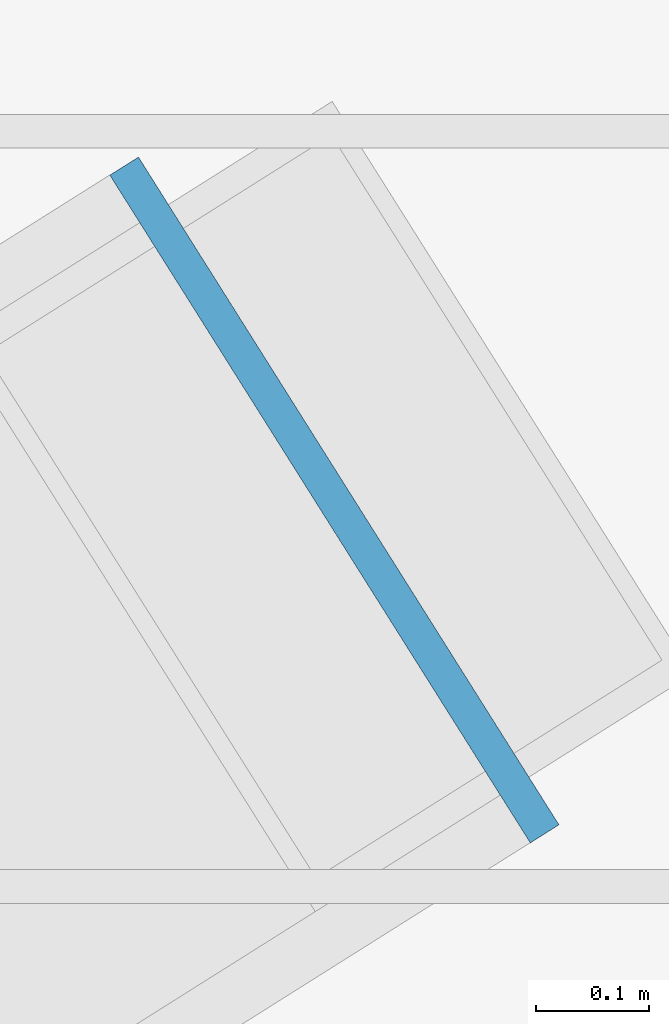
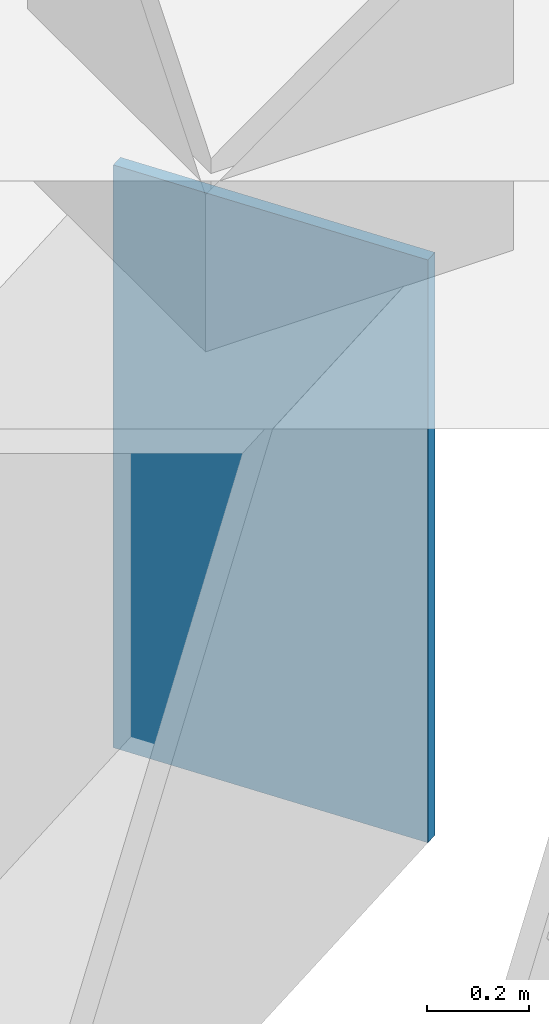
# One storey, part 15 of 25: 1 discrete accessory.
"""IFC4 building model written with IfcOpenShell, lengths in metres."""

from ifc_helpers import new_model, si_unit, direction, frame, origin, origin_2d, place, context, subcontext, project, spatial, rectangle, extrude, material, type_object, element, save


model = new_model("IFC4")

# Units and contexts
model_context = context("Model", 3, precision=1e-05, world=origin(), true_north=direction((0.0, 1.0)))
body_context = subcontext(model_context, "Body", "Model", "MODEL_VIEW")
ifc_project = project(units=[si_unit("LENGTHUNIT", "METRE"), si_unit("AREAUNIT", "SQUARE_METRE"), si_unit("VOLUMEUNIT", "CUBIC_METRE"), si_unit("PLANEANGLEUNIT", "RADIAN"), si_unit("MASSUNIT", "GRAM", prefix="KILO")], contexts=[model_context])

# Site, building, storey
site_placement = place(None, origin())
site = spatial("IfcSite", under=ifc_project, at=site_placement, CompositionType="ELEMENT")
building_placement = place(site_placement, origin())
building = spatial("IfcBuilding", under=site, at=building_placement, Name="Tuul Gate Civic Tower", CompositionType="ELEMENT")
storey_placement = place(building_placement, frame((0.0, 0.0, 133.699951171875)))
storey = spatial("IfcBuildingStorey", under=building, at=storey_placement, Name="Plant and refuge floor 4", CompositionType="ELEMENT", Elevation=133.699951171875)

# Discrete accessory
ifc_material = material(Name="Steel S355", Category="steel")
discrete_accessory_type = type_object("IfcDiscreteAccessoryType", Name="End cap plate", PredefinedType="BRACKET", material=ifc_material)
discrete_accessory_placement = place(storey_placement, frame((62.82763671875, -25.903076171875, -1.7998046875), z_axis=(0.0, 0.0, 1.0), x_axis=(0.846187288195, 0.532885609956, 0.0)))
element("IfcDiscreteAccessory", 1, at=discrete_accessory_placement, inside=storey, type_object=discrete_accessory_type, Name="End cap plate", PredefinedType="BRACKET", context=body_context, shape_type="SweptSolid", body=[
    extrude(rectangle(XDim=0.030029296875, YDim=0.699951171875, at=origin_2d()), origin(), (0.0, 0.0, 1.0), 1.39990234375),
])

save(model, "model.ifc")
